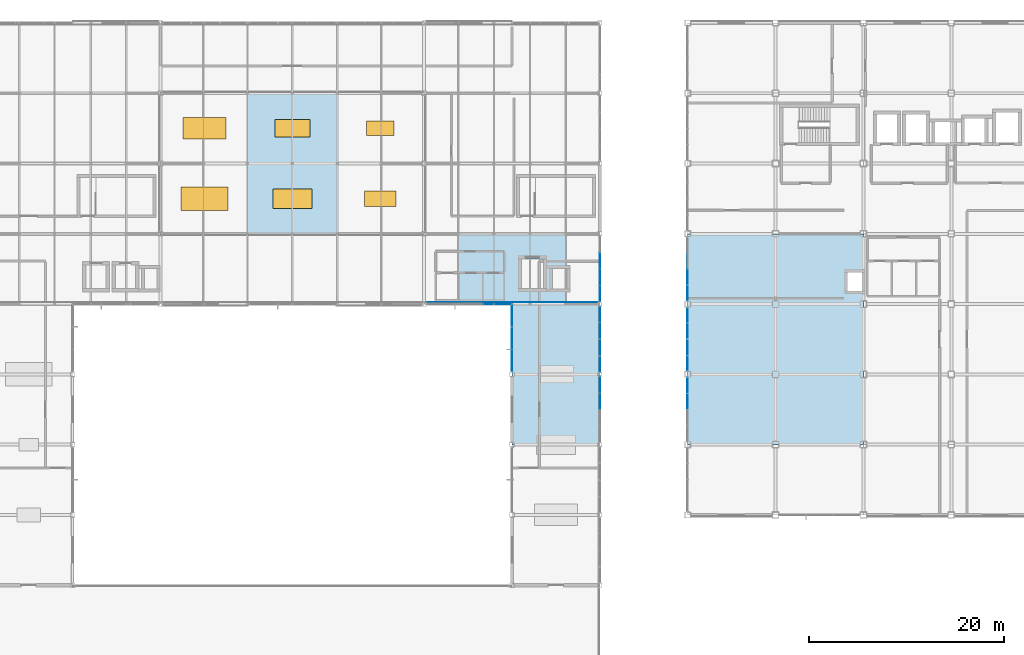
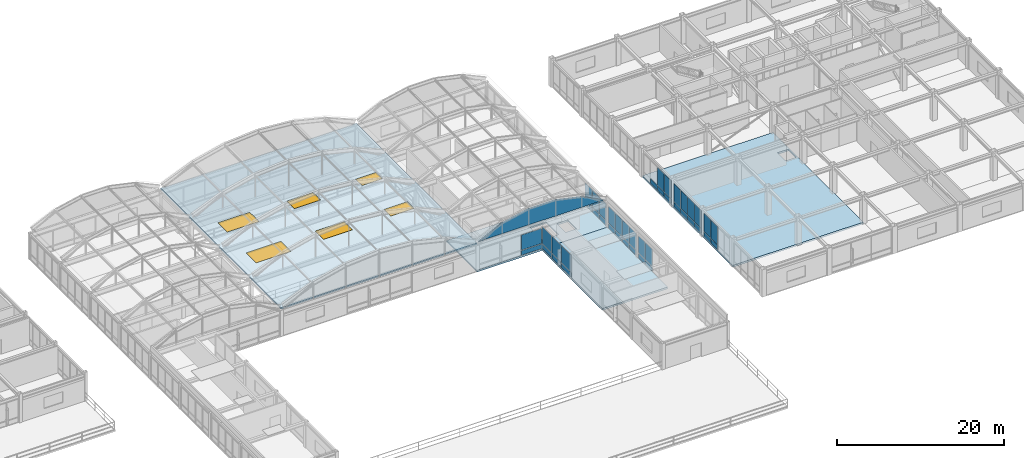
# One storey, part 80 of 106: 44 plates, 6 windows, 4 slabs, 6 openings, 8 elements without a shape of their own.
"""IFC4 building model written with IfcOpenShell, lengths in metres."""

from ifc_helpers import new_model, si_unit, direction, frame, origin, origin_2d, place, context, subcontext, project, spatial, polyline, rectangle, outline, extrude, material, layer, layer_set, type_object, element, fill, aggregate, save


model = new_model("IFC4")

# Units and contexts
model_context = context("Model", 3, precision=1e-05, world=origin(), true_north=direction((0.0, 1.0)))
body_context = subcontext(model_context, "Body", "Model", "MODEL_VIEW")
ifc_project = project(units=[si_unit("LENGTHUNIT", "METRE"), si_unit("AREAUNIT", "SQUARE_METRE"), si_unit("VOLUMEUNIT", "CUBIC_METRE"), si_unit("PLANEANGLEUNIT", "RADIAN"), si_unit("MASSUNIT", "GRAM", prefix="KILO")], contexts=[model_context])

# Site, building, storey
site_placement = place(None, origin())
site = spatial("IfcSite", under=ifc_project, at=site_placement, CompositionType="ELEMENT")
building_placement = place(site_placement, origin())
building = spatial("IfcBuilding", under=site, at=building_placement, Name="Kazanami Central Library", CompositionType="ELEMENT")
storey_placement = place(building_placement, frame((0.0, 0.0, 12.800048828125)))
storey = spatial("IfcBuildingStorey", under=building, at=storey_placement, Name="L04", CompositionType="ELEMENT", Elevation=12.800048828125)

# Plate
ifc_material_1 = material(Name="Acid-Etched Low-E Laminated Glass", Category="glass")
ifc_layer_1 = layer(ifc_material_1, 0.028076171875, Name="Acid-Etched Low-E Laminated Glass")
ifc_layer_set_1 = layer_set([ifc_layer_1], Name="Acid-Etched Low-E Laminated Glass")
plate_type_1 = type_object("IfcPlateType", Name="PLT-BVG-28", PredefinedType="SHEET", material=ifc_layer_set_1)
plate_1_placement = place(storey_placement, frame((90.25, 64.9619140625, 4.0), z_axis=(0.0, -1.0, 0.0), x_axis=(1.0, 0.0, 0.0)))
element("IfcPlate", 1, at=plate_1_placement, inside=storey, type_object=plate_type_1, Name="Glazed Barrel Vault Gable Tympanum VAULT-EAST (South)", PredefinedType="SHEET", context=body_context, shape_type="SweptSolid", body=[
    extrude(outline(polyline([(0.0, 0.0), (17.5, 0.0), (14.172119140625, 1.65380859375), (10.58642578125, 2.449462890625), (6.91357421875, 2.449462890625), (3.327880859375, 1.65380859375), (0.0, 0.0)])), origin(), (0.0, 0.0, -1.0), 0.028076171875),
])

# Curtain wall, plate
curtain_wall_type_1 = type_object("IfcCurtainWallType", Name="CW-8775x3080-M275", PredefinedType="USERDEFINED", material=ifc_material_1)
curtain_wall_1_placement = place(storey_placement, origin())
curtain_wall_1 = element("IfcCurtainWall", 2, at=curtain_wall_1_placement, inside=storey, type_object=curtain_wall_type_1, Name="Unitised Curtain Wall CW-40 L04 S-K-10", ObjectType="UNITISED CURTAIN WALL", PredefinedType="USERDEFINED")
ifc_layer_2 = layer(ifc_material_1, 0.035888671875, Name="Acid-Etched Low-E Laminated Glass")
ifc_layer_set_2 = layer_set([ifc_layer_2], Name="Acid-Etched Low-E Laminated Glass")
plate_type_2 = type_object("IfcPlateType", Name="PLT-CW-P1", PredefinedType="CURTAIN_PANEL", material=ifc_layer_set_2)
plate_2_placement = place(storey_placement, frame((97.52001953125, 64.800048828125, 0.81494140625), z_axis=(0.0, 0.0, 1.0), x_axis=(1.0, 0.0, 0.0)))
plate_2 = element("IfcPlate", 3, at=plate_2_placement, type_object=plate_type_2, Name="CW-40 panel 3.2", PredefinedType="CURTAIN_PANEL", context=body_context, shape_type="SweptSolid", body=[
    extrude(rectangle(XDim=2.820068359375, YDim=0.035888671875, at=origin_2d()), origin(), (0.0, 0.0, 1.0), 2.195068359375),
])

# Curtain wall, plates
curtain_wall_type_2 = type_object("IfcCurtainWallType", Name="CW-6975x3330-M275", PredefinedType="USERDEFINED", material=ifc_material_1)
curtain_wall_2_placement = place(storey_placement, origin())
curtain_wall_2 = element("IfcCurtainWall", 4, at=curtain_wall_2_placement, inside=storey, type_object=curtain_wall_type_2, Name="Unitised Curtain Wall CW-46 L04 W-12-08", ObjectType="UNITISED CURTAIN WALL", PredefinedType="USERDEFINED")
plate_3_placement = place(storey_placement, frame((99.0, 59.0048828125, 0.81494140625), z_axis=(0.0, 0.0, 1.0), x_axis=(0.0, 1.0, 0.0)))
plate_3 = element("IfcPlate", 5, at=plate_3_placement, type_object=plate_type_2, Name="CW-46 panel 1.2", PredefinedType="CURTAIN_PANEL", context=body_context, shape_type="SweptSolid", body=[
    extrude(rectangle(XDim=2.219970703125, YDim=0.035888671875, at=origin_2d()), origin(), (0.0, 0.0, 1.0), 2.445068359375),
])
plate_4_placement = place(storey_placement, frame((99.0, 61.3125, 0.81494140625), z_axis=(0.0, 0.0, 1.0), x_axis=(0.0, 1.0, 0.0)))
plate_4 = element("IfcPlate", 6, at=plate_4_placement, type_object=plate_type_2, Name="CW-46 panel 2.2", PredefinedType="CURTAIN_PANEL", context=body_context, shape_type="SweptSolid", body=[
    extrude(rectangle(XDim=2.2548828125, YDim=0.035888671875, at=origin_2d()), origin(), (0.0, 0.0, 1.0), 2.445068359375),
])
plate_5_placement = place(storey_placement, frame((99.0, 63.6201171875, 0.81494140625), z_axis=(0.0, 0.0, 1.0), x_axis=(0.0, 1.0, 0.0)))
plate_5 = element("IfcPlate", 7, at=plate_5_placement, type_object=plate_type_2, Name="CW-46 panel 3.2", PredefinedType="CURTAIN_PANEL", context=body_context, shape_type="SweptSolid", body=[
    extrude(rectangle(XDim=2.219970703125, YDim=0.035888671875, at=origin_2d()), origin(), (0.0, 0.0, 1.0), 2.445068359375),
])

curtain_wall_type_3 = type_object("IfcCurtainWallType", Name="CW-6800x3330-M180", PredefinedType="USERDEFINED", material=ifc_material_1)
curtain_wall_3_placement = place(storey_placement, origin())
curtain_wall_3 = element("IfcCurtainWall", 8, at=curtain_wall_3_placement, inside=storey, type_object=curtain_wall_type_3, Name="Covered Link Bridge Curtain Wall CW-44 L04 E-13-07", ObjectType="UNITISED CURTAIN WALL", PredefinedType="USERDEFINED")
ifc_material_2 = material(Name="Low-E Insulated Triple Glass", Category="glass")
ifc_layer_3 = layer(ifc_material_2, 0.0400390625, Name="Low-E Insulated Triple Glass")
ifc_layer_set_3 = layer_set([ifc_layer_3], Name="Low-E Insulated Triple Glass")
plate_type_3 = type_object("IfcPlateType", Name="PLT-CW-P3", PredefinedType="CURTAIN_PANEL", material=ifc_layer_set_3)
plate_6_placement = place(storey_placement, frame((108.0, 56.532470703125, 0.81494140625), z_axis=(0.0, 0.0, 1.0), x_axis=(0.0, -1.0, 0.0)))
plate_6 = element("IfcPlate", 9, at=plate_6_placement, type_object=plate_type_3, Name="CW-44 panel 1.2", PredefinedType="CURTAIN_PANEL", context=body_context, shape_type="SweptSolid", body=[
    extrude(rectangle(XDim=1.594970703125, YDim=0.0400390625, at=origin_2d()), origin(), (0.0, 0.0, 1.0), 2.445068359375),
])
plate_7_placement = place(storey_placement, frame((108.0, 54.85009765625, 0.81494140625), z_axis=(0.0, 0.0, 1.0), x_axis=(0.0, -1.0, 0.0)))
plate_7 = element("IfcPlate", 10, at=plate_7_placement, type_object=plate_type_3, Name="CW-44 panel 2.2", PredefinedType="CURTAIN_PANEL", context=body_context, shape_type="SweptSolid", body=[
    extrude(rectangle(XDim=1.6298828125, YDim=0.0400390625, at=origin_2d()), origin(), (0.0, 0.0, 1.0), 2.445068359375),
])

curtain_wall_4_placement = place(storey_placement, origin())
curtain_wall_4 = element("IfcCurtainWall", 11, at=curtain_wall_4_placement, inside=storey, type_object=curtain_wall_type_3, Name="Covered Link Bridge Curtain Wall CW-44 L04 E-13-08", ObjectType="UNITISED CURTAIN WALL", PredefinedType="USERDEFINED")
plate_8_placement = place(storey_placement, frame((108.0, 63.732421875, 0.81494140625), z_axis=(0.0, 0.0, 1.0), x_axis=(0.0, -1.0, 0.0)))
plate_8 = element("IfcPlate", 12, at=plate_8_placement, type_object=plate_type_3, Name="CW-44 panel 1.2", PredefinedType="CURTAIN_PANEL", context=body_context, shape_type="SweptSolid", body=[
    extrude(rectangle(XDim=1.594970703125, YDim=0.0400390625, at=origin_2d()), origin(), (0.0, 0.0, 1.0), 2.445068359375),
])
plate_9_placement = place(storey_placement, frame((108.0, 62.050048828125, 0.81494140625), z_axis=(0.0, 0.0, 1.0), x_axis=(0.0, -1.0, 0.0)))
plate_9 = element("IfcPlate", 13, at=plate_9_placement, type_object=plate_type_3, Name="CW-44 panel 2.2", PredefinedType="CURTAIN_PANEL", context=body_context, shape_type="SweptSolid", body=[
    extrude(rectangle(XDim=1.6298828125, YDim=0.0400390625, at=origin_2d()), origin(), (0.0, 0.0, 1.0), 2.445068359375),
])
plate_10_placement = place(storey_placement, frame((108.0, 60.35009765625, 0.81494140625), z_axis=(0.0, 0.0, 1.0), x_axis=(0.0, -1.0, 0.0)))
plate_10 = element("IfcPlate", 14, at=plate_10_placement, type_object=plate_type_3, Name="CW-44 panel 3.2", PredefinedType="CURTAIN_PANEL", context=body_context, shape_type="SweptSolid", body=[
    extrude(rectangle(XDim=1.6298828125, YDim=0.0400390625, at=origin_2d()), origin(), (0.0, 0.0, 1.0), 2.445068359375),
])
plate_11_placement = place(storey_placement, frame((108.0, 58.66748046875, 0.81494140625), z_axis=(0.0, 0.0, 1.0), x_axis=(0.0, -1.0, 0.0)))
plate_11 = element("IfcPlate", 15, at=plate_11_placement, type_object=plate_type_3, Name="CW-44 panel 4.2", PredefinedType="CURTAIN_PANEL", context=body_context, shape_type="SweptSolid", body=[
    extrude(rectangle(XDim=1.594970703125, YDim=0.0400390625, at=origin_2d()), origin(), (0.0, 0.0, 1.0), 2.445068359375),
])

curtain_wall_5_placement = place(storey_placement, origin())
curtain_wall_5 = element("IfcCurtainWall", 16, at=curtain_wall_5_placement, inside=storey, type_object=curtain_wall_type_3, Name="Covered Link Bridge Curtain Wall CW-44 L04 E-13-09", ObjectType="UNITISED CURTAIN WALL", PredefinedType="USERDEFINED")
plate_12_placement = place(storey_placement, frame((108.0, 69.25, 0.81494140625), z_axis=(0.0, 0.0, 1.0), x_axis=(0.0, -1.0, 0.0)))
plate_12 = element("IfcPlate", 17, at=plate_12_placement, type_object=plate_type_3, Name="CW-44 panel 2.2", PredefinedType="CURTAIN_PANEL", context=body_context, shape_type="SweptSolid", body=[
    extrude(rectangle(XDim=1.6298828125, YDim=0.0400390625, at=origin_2d()), origin(), (0.0, 0.0, 1.0), 2.445068359375),
])
plate_13_placement = place(storey_placement, frame((108.0, 67.550048828125, 0.81494140625), z_axis=(0.0, 0.0, 1.0), x_axis=(0.0, -1.0, 0.0)))
plate_13 = element("IfcPlate", 18, at=plate_13_placement, type_object=plate_type_3, Name="CW-44 panel 3.2", PredefinedType="CURTAIN_PANEL", context=body_context, shape_type="SweptSolid", body=[
    extrude(rectangle(XDim=1.6298828125, YDim=0.0400390625, at=origin_2d()), origin(), (0.0, 0.0, 1.0), 2.445068359375),
])
plate_14_placement = place(storey_placement, frame((108.0, 65.867431640625, 0.81494140625), z_axis=(0.0, 0.0, 1.0), x_axis=(0.0, -1.0, 0.0)))
plate_14 = element("IfcPlate", 19, at=plate_14_placement, type_object=plate_type_3, Name="CW-44 panel 4.2", PredefinedType="CURTAIN_PANEL", context=body_context, shape_type="SweptSolid", body=[
    extrude(rectangle(XDim=1.594970703125, YDim=0.0400390625, at=origin_2d()), origin(), (0.0, 0.0, 1.0), 2.445068359375),
])

curtain_wall_type_4 = type_object("IfcCurtainWallType", Name="CW-6600x3490-M180", PredefinedType="USERDEFINED", material=ifc_material_1)
curtain_wall_6_placement = place(storey_placement, origin())
curtain_wall_6 = element("IfcCurtainWall", 20, at=curtain_wall_6_placement, inside=storey, type_object=curtain_wall_type_4, Name="Covered Link Bridge Curtain Wall CW-48 L04 W-14-07", ObjectType="UNITISED CURTAIN WALL", PredefinedType="USERDEFINED")
plate_15_placement = place(storey_placement, frame((117.0, 54.824951171875, 0.809814453125), z_axis=(0.0, 0.0, 1.0), x_axis=(0.0, 1.0, 0.0)))
plate_15 = element("IfcPlate", 21, at=plate_15_placement, type_object=plate_type_3, Name="CW-48 panel 3.2", PredefinedType="CURTAIN_PANEL", context=body_context, shape_type="SweptSolid", body=[
    extrude(rectangle(XDim=1.590087890625, YDim=0.0400390625, at=origin_2d()), origin(), (0.0, 0.0, 1.0), 2.6201171875),
])
plate_16_placement = place(storey_placement, frame((117.0, 56.4599609375, 0.809814453125), z_axis=(0.0, 0.0, 1.0), x_axis=(0.0, 1.0, 0.0)))
plate_16 = element("IfcPlate", 22, at=plate_16_placement, type_object=plate_type_3, Name="CW-48 panel 4.2", PredefinedType="CURTAIN_PANEL", context=body_context, shape_type="SweptSolid", body=[
    extrude(rectangle(XDim=1.56005859375, YDim=0.0400390625, at=origin_2d()), origin(), (0.0, 0.0, 1.0), 2.6201171875),
])

curtain_wall_7_placement = place(storey_placement, origin())
curtain_wall_7 = element("IfcCurtainWall", 23, at=curtain_wall_7_placement, inside=storey, type_object=curtain_wall_type_4, Name="Covered Link Bridge Curtain Wall CW-48 L04 W-14-08", ObjectType="UNITISED CURTAIN WALL", PredefinedType="USERDEFINED")
plate_17_placement = place(storey_placement, frame((117.0, 58.739990234375, 0.809814453125), z_axis=(0.0, 0.0, 1.0), x_axis=(0.0, 1.0, 0.0)))
plate_17 = element("IfcPlate", 24, at=plate_17_placement, type_object=plate_type_3, Name="CW-48 panel 1.2", PredefinedType="CURTAIN_PANEL", context=body_context, shape_type="SweptSolid", body=[
    extrude(rectangle(XDim=1.56005859375, YDim=0.0400390625, at=origin_2d()), origin(), (0.0, 0.0, 1.0), 2.6201171875),
])
plate_18_placement = place(storey_placement, frame((117.0, 60.375, 0.809814453125), z_axis=(0.0, 0.0, 1.0), x_axis=(0.0, 1.0, 0.0)))
plate_18 = element("IfcPlate", 25, at=plate_18_placement, type_object=plate_type_3, Name="CW-48 panel 2.2", PredefinedType="CURTAIN_PANEL", context=body_context, shape_type="SweptSolid", body=[
    extrude(rectangle(XDim=1.590087890625, YDim=0.0400390625, at=origin_2d()), origin(), (0.0, 0.0, 1.0), 2.6201171875),
])
plate_19_placement = place(storey_placement, frame((117.0, 62.02490234375, 0.809814453125), z_axis=(0.0, 0.0, 1.0), x_axis=(0.0, 1.0, 0.0)))
plate_19 = element("IfcPlate", 26, at=plate_19_placement, type_object=plate_type_3, Name="CW-48 panel 3.2", PredefinedType="CURTAIN_PANEL", context=body_context, shape_type="SweptSolid", body=[
    extrude(rectangle(XDim=1.590087890625, YDim=0.0400390625, at=origin_2d()), origin(), (0.0, 0.0, 1.0), 2.6201171875),
])
plate_20_placement = place(storey_placement, frame((117.0, 63.659912109375, 0.809814453125), z_axis=(0.0, 0.0, 1.0), x_axis=(0.0, 1.0, 0.0)))
plate_20 = element("IfcPlate", 27, at=plate_20_placement, type_object=plate_type_3, Name="CW-48 panel 4.2", PredefinedType="CURTAIN_PANEL", context=body_context, shape_type="SweptSolid", body=[
    extrude(rectangle(XDim=1.56005859375, YDim=0.0400390625, at=origin_2d()), origin(), (0.0, 0.0, 1.0), 2.6201171875),
])

curtain_wall_8_placement = place(storey_placement, origin())
curtain_wall_8 = element("IfcCurtainWall", 28, at=curtain_wall_8_placement, inside=storey, type_object=curtain_wall_type_4, Name="Covered Link Bridge Curtain Wall CW-48 L04 W-14-09", ObjectType="UNITISED CURTAIN WALL", PredefinedType="USERDEFINED")
plate_21_placement = place(storey_placement, frame((117.0, 65.93994140625, 0.809814453125), z_axis=(0.0, 0.0, 1.0), x_axis=(0.0, 1.0, 0.0)))
plate_21 = element("IfcPlate", 29, at=plate_21_placement, type_object=plate_type_3, Name="CW-48 panel 1.2", PredefinedType="CURTAIN_PANEL", context=body_context, shape_type="SweptSolid", body=[
    extrude(rectangle(XDim=1.56005859375, YDim=0.0400390625, at=origin_2d()), origin(), (0.0, 0.0, 1.0), 2.6201171875),
])
plate_22_placement = place(storey_placement, frame((117.0, 67.574951171875, 0.809814453125), z_axis=(0.0, 0.0, 1.0), x_axis=(0.0, 1.0, 0.0)))
plate_22 = element("IfcPlate", 30, at=plate_22_placement, type_object=plate_type_3, Name="CW-48 panel 2.2", PredefinedType="CURTAIN_PANEL", context=body_context, shape_type="SweptSolid", body=[
    extrude(rectangle(XDim=1.590087890625, YDim=0.0400390625, at=origin_2d()), origin(), (0.0, 0.0, 1.0), 2.6201171875),
])

# Plate
ifc_material_3 = material(Name="Anodised Aluminium A5052-H32", Category="aluminium")
ifc_layer_4 = layer(ifc_material_3, 0.06005859375, Name="Anodised Aluminium A5052-H32")
ifc_layer_set_4 = layer_set([ifc_layer_4], Name="Anodised Aluminium A5052-H32")
plate_type_4 = type_object("IfcPlateType", Name="PLT-CW-SP1", PredefinedType="CURTAIN_PANEL", material=ifc_layer_set_4)
plate_23_placement = place(storey_placement, frame((97.52001953125, 64.800048828125, 0.06982421875), z_axis=(0.0, 0.0, 1.0), x_axis=(1.0, 0.0, 0.0)))
plate_23 = element("IfcPlate", 31, at=plate_23_placement, type_object=plate_type_4, Name="CW-40 panel 3.1", PredefinedType="CURTAIN_PANEL", context=body_context, shape_type="SweptSolid", body=[
    extrude(rectangle(XDim=2.820068359375, YDim=0.06005859375, at=origin_2d()), origin(), (0.0, 0.0, 1.0), 0.675048828125),
])

aggregate(curtain_wall_1, [plate_23, plate_2])

plate_24_placement = place(storey_placement, frame((99.0, 59.0048828125, 0.06982421875), z_axis=(0.0, 0.0, 1.0), x_axis=(0.0, 1.0, 0.0)))
plate_24 = element("IfcPlate", 32, at=plate_24_placement, type_object=plate_type_4, Name="CW-46 panel 1.1", PredefinedType="CURTAIN_PANEL", context=body_context, shape_type="SweptSolid", body=[
    extrude(rectangle(XDim=2.219970703125, YDim=0.06005859375, at=origin_2d()), origin(), (0.0, 0.0, 1.0), 0.675048828125),
])

plate_25_placement = place(storey_placement, frame((99.0, 61.3125, 0.06982421875), z_axis=(0.0, 0.0, 1.0), x_axis=(0.0, 1.0, 0.0)))
plate_25 = element("IfcPlate", 33, at=plate_25_placement, type_object=plate_type_4, Name="CW-46 panel 2.1", PredefinedType="CURTAIN_PANEL", context=body_context, shape_type="SweptSolid", body=[
    extrude(rectangle(XDim=2.2548828125, YDim=0.06005859375, at=origin_2d()), origin(), (0.0, 0.0, 1.0), 0.675048828125),
])

plate_26_placement = place(storey_placement, frame((99.0, 63.6201171875, 0.06982421875), z_axis=(0.0, 0.0, 1.0), x_axis=(0.0, 1.0, 0.0)))
plate_26 = element("IfcPlate", 34, at=plate_26_placement, type_object=plate_type_4, Name="CW-46 panel 3.1", PredefinedType="CURTAIN_PANEL", context=body_context, shape_type="SweptSolid", body=[
    extrude(rectangle(XDim=2.219970703125, YDim=0.06005859375, at=origin_2d()), origin(), (0.0, 0.0, 1.0), 0.675048828125),
])

aggregate(curtain_wall_2, [plate_24, plate_3, plate_25, plate_4, plate_26, plate_5])

plate_27_placement = place(storey_placement, frame((108.0, 56.532470703125, 0.06982421875), z_axis=(0.0, 0.0, 1.0), x_axis=(0.0, -1.0, 0.0)))
plate_27 = element("IfcPlate", 35, at=plate_27_placement, type_object=plate_type_4, Name="CW-44 panel 1.1", PredefinedType="CURTAIN_PANEL", context=body_context, shape_type="SweptSolid", body=[
    extrude(rectangle(XDim=1.594970703125, YDim=0.06005859375, at=origin_2d()), origin(), (0.0, 0.0, 1.0), 0.675048828125),
])

plate_28_placement = place(storey_placement, frame((108.0, 54.85009765625, 0.06982421875), z_axis=(0.0, 0.0, 1.0), x_axis=(0.0, -1.0, 0.0)))
plate_28 = element("IfcPlate", 36, at=plate_28_placement, type_object=plate_type_4, Name="CW-44 panel 2.1", PredefinedType="CURTAIN_PANEL", context=body_context, shape_type="SweptSolid", body=[
    extrude(rectangle(XDim=1.6298828125, YDim=0.06005859375, at=origin_2d()), origin(), (0.0, 0.0, 1.0), 0.675048828125),
])

aggregate(curtain_wall_3, [plate_27, plate_6, plate_28, plate_7])

plate_29_placement = place(storey_placement, frame((108.0, 63.732421875, 0.06982421875), z_axis=(0.0, 0.0, 1.0), x_axis=(0.0, -1.0, 0.0)))
plate_29 = element("IfcPlate", 37, at=plate_29_placement, type_object=plate_type_4, Name="CW-44 panel 1.1", PredefinedType="CURTAIN_PANEL", context=body_context, shape_type="SweptSolid", body=[
    extrude(rectangle(XDim=1.594970703125, YDim=0.06005859375, at=origin_2d()), origin(), (0.0, 0.0, 1.0), 0.675048828125),
])

plate_30_placement = place(storey_placement, frame((108.0, 62.050048828125, 0.06982421875), z_axis=(0.0, 0.0, 1.0), x_axis=(0.0, -1.0, 0.0)))
plate_30 = element("IfcPlate", 38, at=plate_30_placement, type_object=plate_type_4, Name="CW-44 panel 2.1", PredefinedType="CURTAIN_PANEL", context=body_context, shape_type="SweptSolid", body=[
    extrude(rectangle(XDim=1.6298828125, YDim=0.06005859375, at=origin_2d()), origin(), (0.0, 0.0, 1.0), 0.675048828125),
])

plate_31_placement = place(storey_placement, frame((108.0, 60.35009765625, 0.06982421875), z_axis=(0.0, 0.0, 1.0), x_axis=(0.0, -1.0, 0.0)))
plate_31 = element("IfcPlate", 39, at=plate_31_placement, type_object=plate_type_4, Name="CW-44 panel 3.1", PredefinedType="CURTAIN_PANEL", context=body_context, shape_type="SweptSolid", body=[
    extrude(rectangle(XDim=1.6298828125, YDim=0.06005859375, at=origin_2d()), origin(), (0.0, 0.0, 1.0), 0.675048828125),
])

plate_32_placement = place(storey_placement, frame((108.0, 58.66748046875, 0.06982421875), z_axis=(0.0, 0.0, 1.0), x_axis=(0.0, -1.0, 0.0)))
plate_32 = element("IfcPlate", 40, at=plate_32_placement, type_object=plate_type_4, Name="CW-44 panel 4.1", PredefinedType="CURTAIN_PANEL", context=body_context, shape_type="SweptSolid", body=[
    extrude(rectangle(XDim=1.594970703125, YDim=0.06005859375, at=origin_2d()), origin(), (0.0, 0.0, 1.0), 0.675048828125),
])

aggregate(curtain_wall_4, [plate_29, plate_8, plate_30, plate_9, plate_31, plate_10, plate_32, plate_11])

plate_33_placement = place(storey_placement, frame((108.0, 69.25, 0.06982421875), z_axis=(0.0, 0.0, 1.0), x_axis=(0.0, -1.0, 0.0)))
plate_33 = element("IfcPlate", 41, at=plate_33_placement, type_object=plate_type_4, Name="CW-44 panel 2.1", PredefinedType="CURTAIN_PANEL", context=body_context, shape_type="SweptSolid", body=[
    extrude(rectangle(XDim=1.6298828125, YDim=0.06005859375, at=origin_2d()), origin(), (0.0, 0.0, 1.0), 0.675048828125),
])

plate_34_placement = place(storey_placement, frame((108.0, 67.550048828125, 0.06982421875), z_axis=(0.0, 0.0, 1.0), x_axis=(0.0, -1.0, 0.0)))
plate_34 = element("IfcPlate", 42, at=plate_34_placement, type_object=plate_type_4, Name="CW-44 panel 3.1", PredefinedType="CURTAIN_PANEL", context=body_context, shape_type="SweptSolid", body=[
    extrude(rectangle(XDim=1.6298828125, YDim=0.06005859375, at=origin_2d()), origin(), (0.0, 0.0, 1.0), 0.675048828125),
])

plate_35_placement = place(storey_placement, frame((108.0, 65.867431640625, 0.06982421875), z_axis=(0.0, 0.0, 1.0), x_axis=(0.0, -1.0, 0.0)))
plate_35 = element("IfcPlate", 43, at=plate_35_placement, type_object=plate_type_4, Name="CW-44 panel 4.1", PredefinedType="CURTAIN_PANEL", context=body_context, shape_type="SweptSolid", body=[
    extrude(rectangle(XDim=1.594970703125, YDim=0.06005859375, at=origin_2d()), origin(), (0.0, 0.0, 1.0), 0.675048828125),
])

aggregate(curtain_wall_5, [plate_33, plate_12, plate_34, plate_13, plate_35, plate_14])

ifc_layer_5 = layer(ifc_material_3, 0.052001953125, Name="Anodised Aluminium A5052-H32")
ifc_layer_set_5 = layer_set([ifc_layer_5], Name="Anodised Aluminium A5052-H32")
plate_type_5 = type_object("IfcPlateType", Name="PLT-CW-SP2", PredefinedType="CURTAIN_PANEL", material=ifc_layer_set_5)
plate_36_placement = place(storey_placement, frame((117.0, 54.824951171875, 0.06005859375), z_axis=(0.0, 0.0, 1.0), x_axis=(0.0, 1.0, 0.0)))
plate_36 = element("IfcPlate", 44, at=plate_36_placement, type_object=plate_type_5, Name="CW-48 panel 3.1", PredefinedType="CURTAIN_PANEL", context=body_context, shape_type="SweptSolid", body=[
    extrude(rectangle(XDim=1.590087890625, YDim=0.052001953125, at=origin_2d()), origin(), (0.0, 0.0, 1.0), 0.68994140625),
])

plate_37_placement = place(storey_placement, frame((117.0, 56.4599609375, 0.06005859375), z_axis=(0.0, 0.0, 1.0), x_axis=(0.0, 1.0, 0.0)))
plate_37 = element("IfcPlate", 45, at=plate_37_placement, type_object=plate_type_5, Name="CW-48 panel 4.1", PredefinedType="CURTAIN_PANEL", context=body_context, shape_type="SweptSolid", body=[
    extrude(rectangle(XDim=1.56005859375, YDim=0.052001953125, at=origin_2d()), origin(), (0.0, 0.0, 1.0), 0.68994140625),
])

aggregate(curtain_wall_6, [plate_36, plate_15, plate_37, plate_16])

plate_38_placement = place(storey_placement, frame((117.0, 58.739990234375, 0.06005859375), z_axis=(0.0, 0.0, 1.0), x_axis=(0.0, 1.0, 0.0)))
plate_38 = element("IfcPlate", 46, at=plate_38_placement, type_object=plate_type_5, Name="CW-48 panel 1.1", PredefinedType="CURTAIN_PANEL", context=body_context, shape_type="SweptSolid", body=[
    extrude(rectangle(XDim=1.56005859375, YDim=0.052001953125, at=origin_2d()), origin(), (0.0, 0.0, 1.0), 0.68994140625),
])

plate_39_placement = place(storey_placement, frame((117.0, 60.375, 0.06005859375), z_axis=(0.0, 0.0, 1.0), x_axis=(0.0, 1.0, 0.0)))
plate_39 = element("IfcPlate", 47, at=plate_39_placement, type_object=plate_type_5, Name="CW-48 panel 2.1", PredefinedType="CURTAIN_PANEL", context=body_context, shape_type="SweptSolid", body=[
    extrude(rectangle(XDim=1.590087890625, YDim=0.052001953125, at=origin_2d()), origin(), (0.0, 0.0, 1.0), 0.68994140625),
])

plate_40_placement = place(storey_placement, frame((117.0, 62.02490234375, 0.06005859375), z_axis=(0.0, 0.0, 1.0), x_axis=(0.0, 1.0, 0.0)))
plate_40 = element("IfcPlate", 48, at=plate_40_placement, type_object=plate_type_5, Name="CW-48 panel 3.1", PredefinedType="CURTAIN_PANEL", context=body_context, shape_type="SweptSolid", body=[
    extrude(rectangle(XDim=1.590087890625, YDim=0.052001953125, at=origin_2d()), origin(), (0.0, 0.0, 1.0), 0.68994140625),
])

plate_41_placement = place(storey_placement, frame((117.0, 63.659912109375, 0.06005859375), z_axis=(0.0, 0.0, 1.0), x_axis=(0.0, 1.0, 0.0)))
plate_41 = element("IfcPlate", 49, at=plate_41_placement, type_object=plate_type_5, Name="CW-48 panel 4.1", PredefinedType="CURTAIN_PANEL", context=body_context, shape_type="SweptSolid", body=[
    extrude(rectangle(XDim=1.56005859375, YDim=0.052001953125, at=origin_2d()), origin(), (0.0, 0.0, 1.0), 0.68994140625),
])

aggregate(curtain_wall_7, [plate_38, plate_17, plate_39, plate_18, plate_40, plate_19, plate_41, plate_20])

plate_42_placement = place(storey_placement, frame((117.0, 65.93994140625, 0.06005859375), z_axis=(0.0, 0.0, 1.0), x_axis=(0.0, 1.0, 0.0)))
plate_42 = element("IfcPlate", 50, at=plate_42_placement, type_object=plate_type_5, Name="CW-48 panel 1.1", PredefinedType="CURTAIN_PANEL", context=body_context, shape_type="SweptSolid", body=[
    extrude(rectangle(XDim=1.56005859375, YDim=0.052001953125, at=origin_2d()), origin(), (0.0, 0.0, 1.0), 0.68994140625),
])

plate_43_placement = place(storey_placement, frame((117.0, 67.574951171875, 0.06005859375), z_axis=(0.0, 0.0, 1.0), x_axis=(0.0, 1.0, 0.0)))
plate_43 = element("IfcPlate", 51, at=plate_43_placement, type_object=plate_type_5, Name="CW-48 panel 2.1", PredefinedType="CURTAIN_PANEL", context=body_context, shape_type="SweptSolid", body=[
    extrude(rectangle(XDim=1.590087890625, YDim=0.052001953125, at=origin_2d()), origin(), (0.0, 0.0, 1.0), 0.68994140625),
])

plate_44_placement = place(storey_placement, frame((117.0, 69.22509765625, 0.06005859375), z_axis=(0.0, 0.0, 1.0), x_axis=(0.0, 1.0, 0.0)))
plate_44 = element("IfcPlate", 52, at=plate_44_placement, type_object=plate_type_5, Name="CW-48 panel 3.1", PredefinedType="CURTAIN_PANEL", context=body_context, shape_type="SweptSolid", body=[
    extrude(rectangle(XDim=1.590087890625, YDim=0.052001953125, at=origin_2d()), origin(), (0.0, 0.0, 1.0), 0.68994140625),
])

aggregate(curtain_wall_8, [plate_42, plate_21, plate_43, plate_22, plate_44])

# Slabs
ifc_material_4 = material(Name="Concrete Fc36 (36 MPa)", Category="concrete")
ifc_layer_6 = layer(ifc_material_4, 0.2548828125, Name="Concrete Fc36 (36 MPa)")
ifc_layer_set_6 = layer_set([ifc_layer_6], Name="Concrete Fc36 (36 MPa)")
slab_type_1 = type_object("IfcSlabType", Name="SLB-FLR-255", PredefinedType="FLOOR", material=ifc_layer_set_6)
slab_1_placement = place(storey_placement, frame((0.0, 0.0, -0.255126953125)))
element("IfcSlab", 53, at=slab_1_placement, inside=storey, type_object=slab_type_1, Name="Composite Floor Slab L04 V1-EAST Zone 10", PredefinedType="FLOOR", context=body_context, shape_type="SweptSolid", body=[
    extrude(outline(polyline([(99.0, 50.39990234375), (108.0, 50.39990234375), (108.0, 64.800048828125), (99.0, 64.800048828125), (99.0, 50.39990234375)])), origin(), (0.0, 0.0, 1.0), 0.255126953125),
])
slab_2_placement = place(storey_placement, frame((0.0, 0.0, -0.255126953125)))
element("IfcSlab", 54, at=slab_2_placement, inside=storey, type_object=slab_type_1, Name="Composite Floor Slab L04 V1-NORTH Zone 16", PredefinedType="FLOOR", context=body_context, shape_type="SweptSolid", body=[
    extrude(outline(polyline([(90.0, 64.800048828125), (108.0, 64.800048828125), (108.0, 72.0), (90.0, 72.0), (90.0, 64.800048828125)]), holes=[polyline([(99.97509765625, 66.375), (102.22509765625, 66.375), (102.22509765625, 69.425048828125), (99.97509765625, 69.425048828125), (99.97509765625, 66.375)]), polyline([(103.14990234375, 66.35009765625), (104.64990234375, 66.35009765625), (104.64990234375, 68.449951171875), (103.14990234375, 68.449951171875), (103.14990234375, 66.35009765625)])]), origin(), (0.0, 0.0, 1.0), 0.255126953125),
])
slab_3_placement = place(storey_placement, frame((0.0, 0.0, -0.255126953125)))
element("IfcSlab", 55, at=slab_3_placement, inside=storey, type_object=slab_type_1, Name="Composite Floor Slab L04 V2-MAIN Zone 20", PredefinedType="FLOOR", context=body_context, shape_type="SweptSolid", body=[
    extrude(outline(polyline([(117.0, 50.39990234375), (135.0, 50.39990234375), (135.0, 72.0), (117.0, 72.0), (117.0, 50.39990234375)]), holes=[polyline([(133.35009765625, 66.14990234375), (134.85009765625, 66.14990234375), (134.85009765625, 68.050048828125), (133.35009765625, 68.050048828125), (133.35009765625, 66.14990234375)])]), origin(), (0.0, 0.0, 1.0), 0.255126953125),
])

# Slab, openings, windows
ifc_layer_7 = layer(ifc_material_4, 0.219970703125, Name="Concrete Fc36 (36 MPa)")
ifc_layer_set_7 = layer_set([ifc_layer_7], Name="Concrete Fc36 (36 MPa)")
slab_type_2 = type_object("IfcSlabType", Name="SLB-ROOF-220", PredefinedType="ROOF", material=ifc_layer_set_7)
slab_4_placement = place(storey_placement, frame((0.0, 0.0, 3.780029296875)))
slab_4 = element("IfcSlab", 56, at=slab_4_placement, inside=storey, type_object=slab_type_2, Name="Structural Roof Slab ROOF-L04-V1N-C", PredefinedType="ROOF", context=body_context, shape_type="SweptSolid", body=[
    extrude(outline(polyline([(63.0, 64.800048828125), (90.0, 64.800048828125), (90.0, 93.60009765625), (63.0, 93.60009765625), (63.0, 64.800048828125)])), origin(), (0.0, 0.0, 1.0), 0.219970703125),
])
opening_1_placement = place(slab_4_placement, frame((67.5, 75.60009765625, -0.011962890625)))
opening_1 = element("IfcOpeningElement", 57, at=opening_1_placement, cuts=slab_4, Name="Opening SK-01", PredefinedType="OPENING", context=body_context, shape_type="SweptSolid", body=[
    extrude(rectangle(XDim=4.800048828125, YDim=2.39990234375, at=origin_2d()), origin(), (0.0, 0.0, 1.0), 0.243896484375),
])
opening_2_placement = place(slab_4_placement, frame((67.5, 82.800048828125, -0.011962890625)))
opening_2 = element("IfcOpeningElement", 58, at=opening_2_placement, cuts=slab_4, Name="Opening SK-02", PredefinedType="OPENING", context=body_context, shape_type="SweptSolid", body=[
    extrude(rectangle(XDim=4.39990234375, YDim=2.199951171875, at=origin_2d()), origin(), (0.0, 0.0, 1.0), 0.243896484375),
])
opening_3_placement = place(slab_4_placement, frame((76.5, 75.60009765625, -0.011962890625)))
opening_3 = element("IfcOpeningElement", 59, at=opening_3_placement, cuts=slab_4, Name="Opening SK-03", PredefinedType="OPENING", context=body_context, shape_type="SweptSolid", body=[
    extrude(rectangle(XDim=4.0, YDim=2.0, at=origin_2d()), origin(), (0.0, 0.0, 1.0), 0.243896484375),
])
opening_4_placement = place(slab_4_placement, frame((76.5, 82.800048828125, -0.011962890625)))
opening_4 = element("IfcOpeningElement", 60, at=opening_4_placement, cuts=slab_4, Name="Opening SK-04", PredefinedType="OPENING", context=body_context, shape_type="SweptSolid", body=[
    extrude(rectangle(XDim=3.60009765625, YDim=1.800048828125, at=origin_2d()), origin(), (0.0, 0.0, 1.0), 0.243896484375),
])
opening_5_placement = place(slab_4_placement, frame((85.5, 75.60009765625, -0.011962890625)))
opening_5 = element("IfcOpeningElement", 61, at=opening_5_placement, cuts=slab_4, Name="Opening SK-05", PredefinedType="OPENING", context=body_context, shape_type="SweptSolid", body=[
    extrude(rectangle(XDim=3.199951171875, YDim=1.60009765625, at=origin_2d()), origin(), (0.0, 0.0, 1.0), 0.243896484375),
])
opening_6_placement = place(slab_4_placement, frame((85.5, 82.800048828125, -0.011962890625)))
opening_6 = element("IfcOpeningElement", 62, at=opening_6_placement, cuts=slab_4, Name="Opening SK-06", PredefinedType="OPENING", context=body_context, shape_type="SweptSolid", body=[
    extrude(rectangle(XDim=2.800048828125, YDim=1.5, at=origin_2d()), origin(), (0.0, 0.0, 1.0), 0.243896484375),
])
window_type_1 = type_object("IfcWindowType", Name="WIN-SK-01", PartitioningType="DOUBLE_PANEL_VERTICAL", PredefinedType="SKYLIGHT", material=ifc_material_2)
window_1_placement = place(slab_4_placement, frame((67.5, 75.60009765625, 0.159912109375)))
window_1 = element("IfcWindow", 63, at=window_1_placement, inside=storey, type_object=window_type_1, Name="Reading Gallery Skylight SK-01-01", OverallHeight=2.39990234375, OverallWidth=4.800048828125, PartitioningType="SINGLE_PANEL", PredefinedType="SKYLIGHT", context=body_context, shape_type="SweptSolid", body=[
    extrude(rectangle(XDim=4.800048828125, YDim=2.39990234375, at=origin_2d()), origin(), (0.0, 0.0, 1.0), 0.06005859375),
])
fill(opening_1, window_1)
window_type_2 = type_object("IfcWindowType", Name="WIN-SK-02", PartitioningType="DOUBLE_PANEL_VERTICAL", PredefinedType="SKYLIGHT", material=ifc_material_2)
window_2_placement = place(slab_4_placement, frame((67.5, 82.800048828125, 0.159912109375)))
window_2 = element("IfcWindow", 64, at=window_2_placement, inside=storey, type_object=window_type_2, Name="Reading Gallery Skylight SK-02-02", OverallHeight=2.199951171875, OverallWidth=4.39990234375, PartitioningType="SINGLE_PANEL", PredefinedType="SKYLIGHT", context=body_context, shape_type="SweptSolid", body=[
    extrude(rectangle(XDim=4.39990234375, YDim=2.199951171875, at=origin_2d()), origin(), (0.0, 0.0, 1.0), 0.06005859375),
])
fill(opening_2, window_2)
window_type_3 = type_object("IfcWindowType", Name="WIN-SK-03", PartitioningType="DOUBLE_PANEL_VERTICAL", PredefinedType="SKYLIGHT", material=ifc_material_2)
window_3_placement = place(slab_4_placement, frame((76.5, 75.60009765625, 0.159912109375)))
window_3 = element("IfcWindow", 65, at=window_3_placement, inside=storey, type_object=window_type_3, Name="Reading Gallery Skylight SK-03-03", OverallHeight=2.0, OverallWidth=4.0, PartitioningType="SINGLE_PANEL", PredefinedType="SKYLIGHT", context=body_context, shape_type="SweptSolid", body=[
    extrude(rectangle(XDim=4.0, YDim=2.0, at=origin_2d()), origin(), (0.0, 0.0, 1.0), 0.06005859375),
])
fill(opening_3, window_3)
window_type_4 = type_object("IfcWindowType", Name="WIN-SK-04", PartitioningType="DOUBLE_PANEL_VERTICAL", PredefinedType="SKYLIGHT", material=ifc_material_2)
window_4_placement = place(slab_4_placement, frame((76.5, 82.800048828125, 0.159912109375)))
window_4 = element("IfcWindow", 66, at=window_4_placement, inside=storey, type_object=window_type_4, Name="Reading Gallery Skylight SK-04-04", OverallHeight=1.800048828125, OverallWidth=3.60009765625, PartitioningType="SINGLE_PANEL", PredefinedType="SKYLIGHT", context=body_context, shape_type="SweptSolid", body=[
    extrude(rectangle(XDim=3.60009765625, YDim=1.800048828125, at=origin_2d()), origin(), (0.0, 0.0, 1.0), 0.06005859375),
])
fill(opening_4, window_4)
window_type_5 = type_object("IfcWindowType", Name="WIN-SK-05", PartitioningType="DOUBLE_PANEL_VERTICAL", PredefinedType="SKYLIGHT", material=ifc_material_2)
window_5_placement = place(slab_4_placement, frame((85.5, 75.60009765625, 0.159912109375)))
window_5 = element("IfcWindow", 67, at=window_5_placement, inside=storey, type_object=window_type_5, Name="Reading Gallery Skylight SK-05-05", OverallHeight=1.60009765625, OverallWidth=3.199951171875, PartitioningType="SINGLE_PANEL", PredefinedType="SKYLIGHT", context=body_context, shape_type="SweptSolid", body=[
    extrude(rectangle(XDim=3.199951171875, YDim=1.60009765625, at=origin_2d()), origin(), (0.0, 0.0, 1.0), 0.06005859375),
])
fill(opening_5, window_5)
window_type_6 = type_object("IfcWindowType", Name="WIN-SK-06", PartitioningType="DOUBLE_PANEL_VERTICAL", PredefinedType="SKYLIGHT", material=ifc_material_2)
window_6_placement = place(slab_4_placement, frame((85.5, 82.800048828125, 0.159912109375)))
window_6 = element("IfcWindow", 68, at=window_6_placement, inside=storey, type_object=window_type_6, Name="Reading Gallery Skylight SK-06-06", OverallHeight=1.5, OverallWidth=2.800048828125, PartitioningType="SINGLE_PANEL", PredefinedType="SKYLIGHT", context=body_context, shape_type="SweptSolid", body=[
    extrude(rectangle(XDim=2.800048828125, YDim=1.5, at=origin_2d()), origin(), (0.0, 0.0, 1.0), 0.06005859375),
])
fill(opening_6, window_6)

save(model, "model.ifc")
